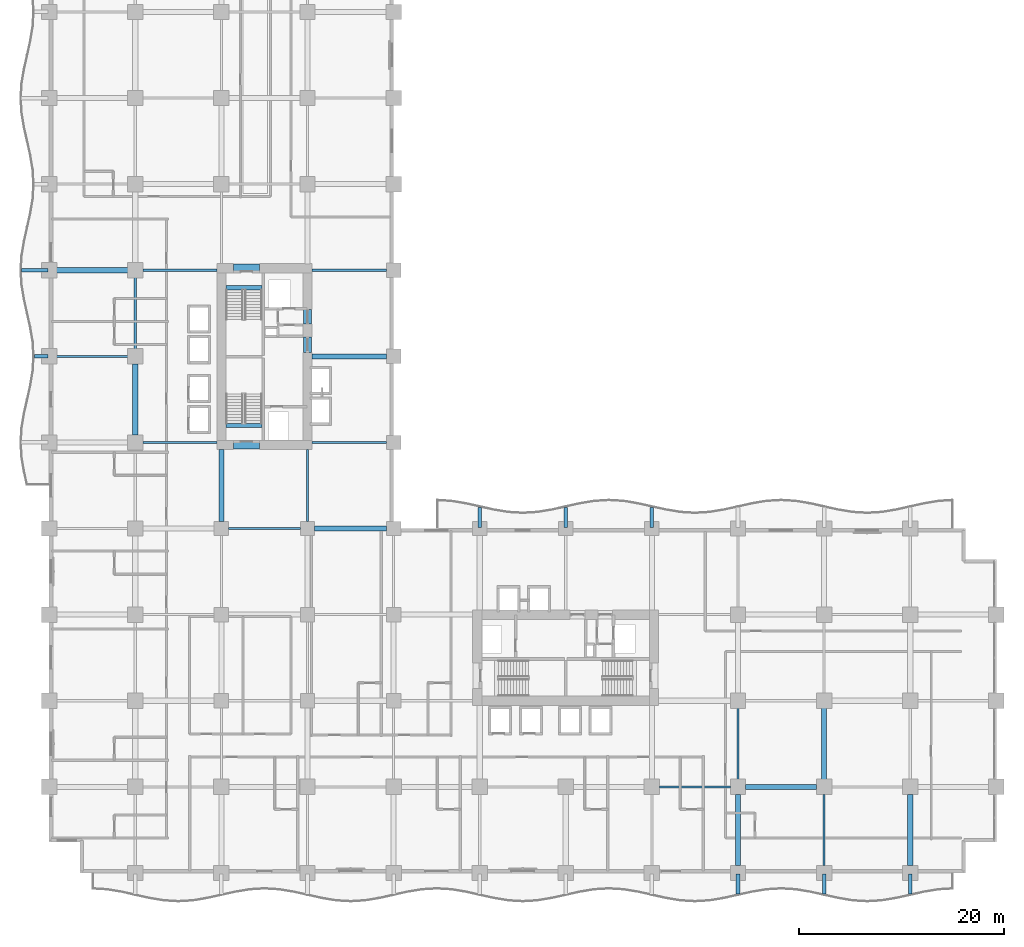
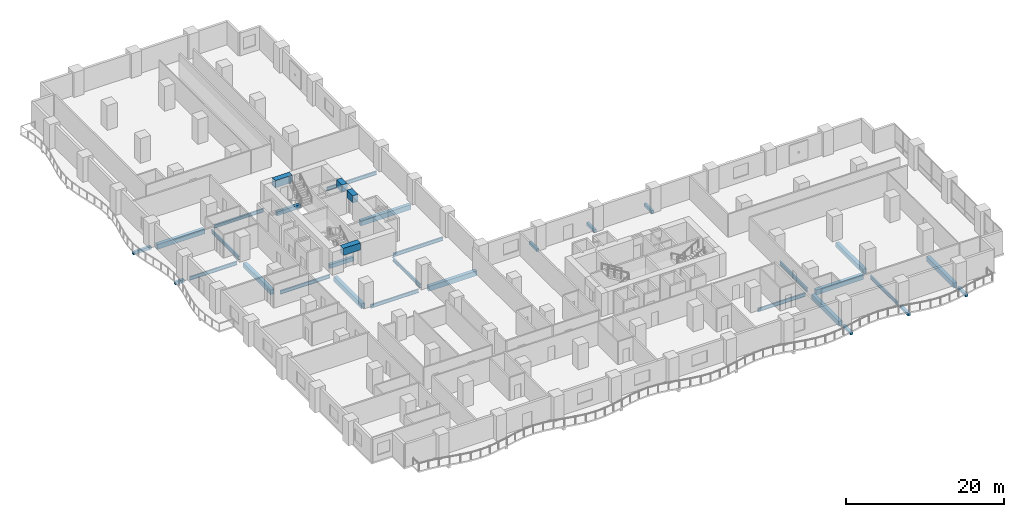
# One storey, part 2 of 27: 34 beams.
"""IFC4 building model written with IfcOpenShell, lengths in metres."""

import ifcopenshell
import ifcopenshell.guid

model = None  # the IFC model being written
_history = None  # IfcOwnerHistory: only IFC2X3 demands one
_inside = {}  # id of a spatial element -> (the spatial element, [elements in it])
_under = {}  # id of a project, library or spatial element -> (it, [spatial elements below it])
_declared = {}  # id of a project -> (the project, [libraries it declares])
_typed = {}  # id of a type object -> (the type object, [elements of that type])
_made_of = {}  # id of a material, layer set ... -> (it, [elements and type objects made of it])


def new_model(schema):
    """Start an empty IFC model of exactly this schema.

    Asked for "IFC4X3", IfcOpenShell would pick the latest addendum, in which some entities
    have other attributes; the version numbers below select the first issue.
    IFC2X3 requires an IfcOwnerHistory on every rooted entity: one is made here for all.
    """
    global model, _history
    if schema == "IFC4X3":
        model = ifcopenshell.file(schema_version=(4, 3, 0, 0))
    else:
        model = ifcopenshell.file(schema=schema)
    _inside.clear()
    _under.clear()
    _declared.clear()
    _typed.clear()
    _made_of.clear()
    _history = None
    if model.schema == "IFC2X3":
        org = make("IfcOrganization", Name="unknown")
        user = make(
            "IfcPersonAndOrganization",
            ThePerson=make("IfcPerson", FamilyName="unknown"),
            TheOrganization=org,
        )
        app = make(
            "IfcApplication",
            ApplicationDeveloper=org,
            Version="unknown",
            ApplicationFullName="unknown",
            ApplicationIdentifier="unknown",
        )
        _history = make(
            "IfcOwnerHistory",
            OwningUser=user,
            OwningApplication=app,
            ChangeAction="ADDED",
            CreationDate=0,
        )
    return model


def make(cls, **values):
    """One entity of the class cls with the attributes given. An attribute that is None is left unset."""
    return model.create_entity(
        cls, **{name: value for name, value in values.items() if value is not None}
    )


def rooted(cls, **values):
    """An entity with a GlobalId (a new one), such as an element, a storey or a relation."""
    return make(cls, GlobalId=ifcopenshell.guid.new(), OwnerHistory=_history, **values)


def si_unit(unit_type, name, prefix=None):
    """IfcSIUnit, for example si_unit("LENGTHUNIT", "METRE", prefix="MILLI")."""
    return make("IfcSIUnit", UnitType=unit_type, Prefix=prefix, Name=name)


def assignment(units):
    """IfcUnitAssignment: the units of a project."""
    return None if units is None else make("IfcUnitAssignment", Units=units)


def point(xyz):
    """IfcCartesianPoint."""
    return None if xyz is None else make("IfcCartesianPoint", Coordinates=xyz)


def direction(xyz):
    """IfcDirection."""
    return None if xyz is None else make("IfcDirection", DirectionRatios=xyz)


def frame(location, z_axis=None, x_axis=None):
    """IfcAxis2Placement3D, a coordinate frame: its origin and axes. An axis left out is left unset."""
    return make(
        "IfcAxis2Placement3D",
        Location=point(location),
        Axis=direction(z_axis),
        RefDirection=direction(x_axis),
    )


def frame_2d(location, x_axis=None):
    """IfcAxis2Placement2D, a coordinate frame in the plane: its origin and x axis."""
    return make(
        "IfcAxis2Placement2D", Location=point(location), RefDirection=direction(x_axis)
    )


def origin():
    """The frame at (0, 0, 0) with its axes left unset."""
    return frame((0.0, 0.0, 0.0))


def origin_2d():
    """The frame at (0, 0) in the plane with its x axis left unset."""
    return frame_2d((0.0, 0.0))


def place(relative_to, where):
    """IfcLocalPlacement: puts the frame where relative to a parent placement (None: the world)."""
    return make(
        "IfcLocalPlacement", PlacementRelTo=relative_to, RelativePlacement=where
    )


def context(
    kind, dimensions, precision=None, world=None, true_north=None, identifier=None
):
    """IfcGeometricRepresentationContext, for example the 3D "Model" context."""
    return make(
        "IfcGeometricRepresentationContext",
        ContextIdentifier=identifier,
        ContextType=kind,
        CoordinateSpaceDimension=dimensions,
        Precision=precision,
        WorldCoordinateSystem=world,
        TrueNorth=true_north,
    )


def subcontext(parent, identifier, kind, view, scale=None):
    """IfcGeometricRepresentationSubContext, for example "Body" below "Model"."""
    return make(
        "IfcGeometricRepresentationSubContext",
        ContextIdentifier=identifier,
        ContextType=kind,
        ParentContext=parent,
        TargetScale=scale,
        TargetView=view,
    )


def project(units=None, contexts=None):
    """IfcProject with its units and contexts."""
    return rooted(
        "IfcProject",
        Name="project",
        RepresentationContexts=contexts,
        UnitsInContext=assignment(units),
    )


def spatial(cls, under=None, at=None, **own):
    """A site, building, storey or space (cls), placed at a placement, below another one or the project."""
    s = rooted(cls, ObjectPlacement=at, **own)
    if under is not None:
        _under.setdefault(under.id(), (under, []))[1].append(s)
    return s


def profile(cls, at=None, kind="AREA", **sizes):
    """A parametric profile (cls). Its sizes go by their IFC names, for example OverallWidth=200.0."""
    return make(cls, ProfileType=kind, Position=at, **sizes)


def rectangle(**sizes):
    """IfcRectangleProfileDef."""
    return profile("IfcRectangleProfileDef", **sizes)


def i_section(**sizes):
    """IfcIShapeProfileDef."""
    return profile("IfcIShapeProfileDef", **sizes)


def extrude(swept, where, along, depth):
    """IfcExtrudedAreaSolid: the profile swept, set in the frame where, extruded along a direction by depth."""
    return make(
        "IfcExtrudedAreaSolid",
        SweptArea=swept,
        Position=where,
        ExtrudedDirection=direction(along),
        Depth=depth,
    )


def shape(context_of_items, identifier, shape_type, items):
    """IfcShapeRepresentation: the items that make up one representation, for example the "Body"."""
    return make(
        "IfcShapeRepresentation",
        ContextOfItems=context_of_items,
        RepresentationIdentifier=identifier,
        RepresentationType=shape_type,
        Items=items,
    )


def material(Name=None, Category=None):
    """IfcMaterial."""
    return make("IfcMaterial", Name=Name, Category=Category)


def material_profile(
    of_material, cross_section, Name=None, Category=None, Priority=None
):
    """IfcMaterialProfile: a cross section and its material."""
    return make(
        "IfcMaterialProfile",
        Name=Name,
        Material=of_material,
        Profile=cross_section,
        Priority=Priority,
        Category=Category,
    )


def profile_set(profiles, Name=None, composite=None):
    """IfcMaterialProfileSet."""
    return make(
        "IfcMaterialProfileSet",
        Name=Name,
        MaterialProfiles=profiles,
        CompositeProfile=composite,
    )


def made_of(thing, what):
    """Note that an element or type object is made of a material, layer set ...; save() writes the relation."""
    if what is not None:
        _made_of.setdefault(what.id(), (what, []))[1].append(thing)
    return thing


def type_object(cls, material=None, **own):
    """A type object (cls), such as IfcWallType, which elements share."""
    return made_of(rooted(cls, **own), material)


def element(
    cls,
    number,
    at=None,
    inside=None,
    cuts=None,
    type_object=None,
    material=None,
    context=None,
    identifier="Body",
    shape_type=None,
    held_by="IfcProductDefinitionShape",
    body=None,
    shapes=None,
    **own,
):
    """One element of the class cls, such as IfcWall. Its Tag is "e" and its number.

    at: its placement. inside: the storey or other place that contains it. cuts: it is an
    opening in that element (IfcRelVoidsElement). A single representation is given by context,
    identifier, shape_type and body (its items); several are given by shapes. held_by: the class
    of the entity that holds the representations. save() writes the other relations.
    """
    e = rooted(cls, Tag="e%d" % number, ObjectPlacement=at, **own)
    if body is not None:
        shapes = [shape(context, identifier, shape_type, body)]
    if shapes is not None:
        e.Representation = make(held_by, Representations=shapes)
    if inside is not None:
        _inside.setdefault(inside.id(), (inside, []))[1].append(e)
    if cuts is not None:
        rooted(
            "IfcRelVoidsElement", RelatingBuildingElement=cuts, RelatedOpeningElement=e
        )
    if type_object is not None:
        _typed.setdefault(type_object.id(), (type_object, []))[1].append(e)
    return made_of(e, material)


def aggregate(whole, parts):
    """IfcRelAggregates: a whole, such as a stair, and the parts it consists of."""
    return rooted("IfcRelAggregates", RelatingObject=whole, RelatedObjects=parts)


def save(model, path):
    """Write the relations noted so far, then the file.

    IfcRelAggregates (storeys below a building ...), IfcRelContainedInSpatialStructure (elements
    in a storey), IfcRelDefinesByType, IfcRelAssociatesMaterial and IfcRelDeclares: one each for
    every whole, place, type object, material and project.
    """
    for whole, parts in _under.values():
        aggregate(whole, parts)
    for where, things in _inside.values():
        rooted(
            "IfcRelContainedInSpatialStructure",
            RelatedElements=things,
            RelatingStructure=where,
        )
    for kind, things in _typed.values():
        rooted("IfcRelDefinesByType", RelatedObjects=things, RelatingType=kind)
    for what, things in _made_of.values():
        rooted("IfcRelAssociatesMaterial", RelatedObjects=things, RelatingMaterial=what)
    for by, libraries in _declared.values():
        rooted("IfcRelDeclares", RelatingContext=by, RelatedDefinitions=libraries)
    model.write(path)


model = new_model("IFC4")

# Units and contexts
model_context = context("Model", 3, precision=1e-05, world=origin(), true_north=direction((0.0, 1.0)))
body_context = subcontext(model_context, "Body", "Model", "MODEL_VIEW")
ifc_project = project(units=[si_unit("LENGTHUNIT", "METRE"), si_unit("AREAUNIT", "SQUARE_METRE"), si_unit("VOLUMEUNIT", "CUBIC_METRE"), si_unit("PLANEANGLEUNIT", "RADIAN"), si_unit("MASSUNIT", "GRAM", prefix="KILO")], contexts=[model_context])

# Site, building, storey
site_placement = place(None, origin())
site = spatial("IfcSite", under=ifc_project, at=site_placement, CompositionType="ELEMENT")
building_placement = place(site_placement, origin())
building = spatial("IfcBuilding", under=site, at=building_placement, Name="Koriwani Terraces Tower", CompositionType="ELEMENT")
storey_placement = place(building_placement, frame((0.0, 0.0, 70.0)))
storey = spatial("IfcBuildingStorey", under=building, at=storey_placement, Name="L16", CompositionType="ELEMENT", Elevation=70.0)

# Beams
ifc_material_1 = material(Name="Concrete C40/50", Category="concrete")
ifc_material_profile_1 = material_profile(ifc_material_1, rectangle(XDim=0.35009765625, YDim=0.449951171875, at=origin_2d()), Name="Concrete C40/50", Category="LoadBearing")
ifc_profile_set_1 = profile_set([ifc_material_profile_1], Name="Concrete C40/50")
beam_type_1 = type_object("IfcBeamType", Name="BEAM_RC_BALCONY_RIB_350X450", PredefinedType="JOIST", material=ifc_profile_set_1)
for number, where, z_axis, x_axis, name in (
    (1, (67.199951171875, -2.074951171875, -0.47509765625), (0.0, 1.0, 0.0), (-1.0, 0.0, 0.0), "L16 Balcony Bracket Rib S-8"),
    (2, (75.60009765625, -2.074951171875, -0.47509765625), (0.0, 1.0, 0.0), (-1.0, 0.0, 0.0), "L16 Balcony Bracket Rib S-9"),
    (3, (84.0, -2.074951171875, -0.47509765625), (0.0, 1.0, 0.0), (-1.0, 0.0, 0.0), "L16 Balcony Bracket Rib S-10"),
):
    element("IfcBeam", number, at=place(storey_placement, frame(where, z_axis=z_axis, x_axis=x_axis)), inside=storey, type_object=beam_type_1, Name=name, PredefinedType="JOIST", context=body_context, shape_type="SweptSolid", body=[
        extrude(rectangle(XDim=0.35009765625, YDim=0.449951171875, at=origin_2d()), origin(), (0.0, 0.0, 1.0), 1.974853515625),
    ])
beam_1_placement = place(storey_placement, frame((-1.449951171875, 50.39990234375, -0.47509765625), z_axis=(1.0, 0.0, 0.0), x_axis=(0.0, 1.0, 0.0)))
element("IfcBeam", 4, at=beam_1_placement, inside=storey, type_object=beam_type_1, Name="L16 Balcony Bracket Rib W-2", PredefinedType="JOIST", context=body_context, shape_type="SweptSolid", body=[
    extrude(rectangle(XDim=0.35009765625, YDim=0.449951171875, at=origin_2d()), origin(), (0.0, 0.0, 1.0), 1.349853515625),
])
beam_2_placement = place(storey_placement, frame((-2.699951171875, 58.800048828125, -0.47509765625), z_axis=(1.0, 0.0, 0.0), x_axis=(0.0, 1.0, 0.0)))
element("IfcBeam", 5, at=beam_2_placement, inside=storey, type_object=beam_type_1, Name="L16 Balcony Bracket Rib W-3", PredefinedType="JOIST", context=body_context, shape_type="SweptSolid", body=[
    extrude(rectangle(XDim=0.35009765625, YDim=0.449951171875, at=origin_2d()), origin(), (0.0, 0.0, 1.0), 2.599853515625),
])
for number, where, z_axis, x_axis, name in (
    (6, (42.0, 33.699951171875, -0.47509765625), (0.0, 1.0, 0.0), (-1.0, 0.0, 0.0), "L16 Balcony Bracket Rib NE-1"),
    (7, (50.39990234375, 33.699951171875, -0.47509765625), (0.0, 1.0, 0.0), (-1.0, 0.0, 0.0), "L16 Balcony Bracket Rib NE-2"),
    (8, (58.800048828125, 33.699951171875, -0.47509765625), (0.0, 1.0, 0.0), (-1.0, 0.0, 0.0), "L16 Balcony Bracket Rib NE-3"),
):
    element("IfcBeam", number, at=place(storey_placement, frame(where, z_axis=z_axis, x_axis=x_axis)), inside=storey, type_object=beam_type_1, Name=name, PredefinedType="JOIST", context=body_context, shape_type="SweptSolid", body=[
        extrude(rectangle(XDim=0.35009765625, YDim=0.449951171875, at=origin_2d()), origin(), (0.0, 0.0, 1.0), 1.97509765625),
    ])
ifc_material_2 = material(Name="Concrete C60/75", Category="concrete")
ifc_material_profile_2 = material_profile(ifc_material_2, rectangle(XDim=0.800048828125, YDim=1.10009765625, at=origin_2d()), Name="Concrete C60/75", Category="LoadBearing")
ifc_profile_set_2 = profile_set([ifc_material_profile_2], Name="Concrete C60/75")
beam_type_2 = type_object("IfcBeamType", Name="BEAM_RC_COUPLING_800X1100", PredefinedType="LINTEL", material=ifc_profile_set_2)
beam_3_placement = place(storey_placement, frame((25.199951171875, 50.800048828125, 3.0), z_axis=(0.0, 1.0, 0.0), x_axis=(-1.0, 0.0, 0.0)))
element("IfcBeam", 9, at=beam_3_placement, inside=storey, type_object=beam_type_2, Name="L16 Core Coupling Lintel Beam WE1", PredefinedType="LINTEL", context=body_context, shape_type="SweptSolid", body=[
    extrude(rectangle(XDim=0.800048828125, YDim=1.10009765625, at=origin_2d()), origin(), (0.0, 0.0, 1.0), 1.47998046875),
])
beam_4_placement = place(storey_placement, frame((25.199951171875, 53.550048828125, 3.0), z_axis=(0.0, 1.0, 0.0), x_axis=(-1.0, 0.0, 0.0)))
element("IfcBeam", 10, at=beam_4_placement, inside=storey, type_object=beam_type_2, Name="L16 Core Coupling Lintel Beam WE2", PredefinedType="LINTEL", context=body_context, shape_type="SweptSolid", body=[
    extrude(rectangle(XDim=0.800048828125, YDim=1.10009765625, at=origin_2d()), origin(), (0.0, 0.0, 1.0), 1.39990234375),
])
for number, where, z_axis, x_axis, name in (
    (11, (18.0, 41.75, 3.0), (1.0, 0.0, 0.0), (0.0, 1.0, 0.0), "L16 Core Coupling Lintel Beam WS"),
    (12, (18.0, 59.0, 3.0), (1.0, 0.0, 0.0), (0.0, 1.0, 0.0), "L16 Core Coupling Lintel Beam WN"),
):
    element("IfcBeam", number, at=place(storey_placement, frame(where, z_axis=z_axis, x_axis=x_axis)), inside=storey, type_object=beam_type_2, Name=name, PredefinedType="LINTEL", context=body_context, shape_type="SweptSolid", body=[
        extrude(rectangle(XDim=0.800048828125, YDim=1.10009765625, at=origin_2d()), origin(), (0.0, 0.0, 1.0), 2.5),
    ])
ifc_material_profile_3 = material_profile(ifc_material_1, rectangle(XDim=0.39990234375, YDim=0.60009765625, at=origin_2d()), Name="Concrete C40/50", Category="LoadBearing")
ifc_profile_set_3 = profile_set([ifc_material_profile_3], Name="Concrete C40/50")
beam_type_3 = type_object("IfcBeamType", Name="BEAM_RC_GRID_400X600", PredefinedType="BEAM", material=ifc_profile_set_3)
for number, where, z_axis, x_axis, name in (
    (13, (17.25, 43.655029296875, -0.300048828125), (1.0, 0.0, 0.0), (0.0, 1.0, 0.0), "L16 Stairwell Header Trimmer Beam ST-W1"),
    (14, (17.25, 57.094970703125, -0.300048828125), (1.0, 0.0, 0.0), (0.0, 1.0, 0.0), "L16 Stairwell Header Trimmer Beam ST-W2"),
):
    element("IfcBeam", number, at=place(storey_placement, frame(where, z_axis=z_axis, x_axis=x_axis)), inside=storey, type_object=beam_type_3, Name=name, PredefinedType="BEAM", context=body_context, shape_type="SweptSolid", body=[
        extrude(rectangle(XDim=0.39990234375, YDim=0.60009765625, at=origin_2d()), origin(), (0.0, 0.0, 1.0), 3.5),
    ])
ifc_material_3 = material(Name="Concrete C50/60", Category="concrete")
ifc_material_profile_4 = material_profile(ifc_material_3, rectangle(XDim=0.5, YDim=0.75, at=origin_2d()), Name="Concrete C50/60", Category="LoadBearing")
ifc_profile_set_4 = profile_set([ifc_material_profile_4], Name="Concrete C50/60")
beam_type_4 = type_object("IfcBeamType", Name="BEAM_RC_GRID_500X750", PredefinedType="BEAM", material=ifc_profile_set_4)
beam_5_placement = place(storey_placement, frame((67.929931640625, 8.39990234375, -0.625), z_axis=(1.0, 0.0, 0.0), x_axis=(0.0, 1.0, 0.0)))
element("IfcBeam", 15, at=beam_5_placement, inside=storey, type_object=beam_type_4, Name="L16 Grid Beam B (67.2-75.6m)", PredefinedType="BEAM", context=body_context, shape_type="SweptSolid", body=[
    extrude(rectangle(XDim=0.5, YDim=0.75, at=origin_2d()), origin(), (0.0, 0.0, 1.0), 6.940185546875),
])
beam_6_placement = place(storey_placement, frame((25.8798828125, 33.60009765625, -0.625), z_axis=(1.0, 0.0, 0.0), x_axis=(0.0, 1.0, 0.0)))
element("IfcBeam", 16, at=beam_6_placement, inside=storey, type_object=beam_type_4, Name="L16 Grid Beam E (25.2-33.6m)", PredefinedType="BEAM", context=body_context, shape_type="SweptSolid", body=[
    extrude(rectangle(XDim=0.5, YDim=0.75, at=origin_2d()), origin(), (0.0, 0.0, 1.0), 7.0400390625),
])
beam_7_placement = place(storey_placement, frame((25.6298828125, 50.39990234375, -0.625), z_axis=(1.0, 0.0, 0.0), x_axis=(0.0, 1.0, 0.0)))
element("IfcBeam", 17, at=beam_7_placement, inside=storey, type_object=beam_type_4, Name="L16 Grid Beam G (25.2-33.6m)", PredefinedType="BEAM", context=body_context, shape_type="SweptSolid", body=[
    extrude(rectangle(XDim=0.5, YDim=0.75, at=origin_2d()), origin(), (0.0, 0.0, 1.0), 7.2900390625),
])
for number, where, z_axis, x_axis, name in (
    (18, (0.72998046875, 58.800048828125, -0.625), (1.0, 0.0, 0.0), (0.0, 1.0, 0.0), "L16 Grid Beam H (0.0-8.4m)"),
    (19, (8.39990234375, 42.72998046875, -0.625), (0.0, 1.0, 0.0), (-1.0, 0.0, 0.0), "L16 Grid Beam 2 (42.0-50.4m)"),
):
    element("IfcBeam", number, at=place(storey_placement, frame(where, z_axis=z_axis, x_axis=x_axis)), inside=storey, type_object=beam_type_4, Name=name, PredefinedType="BEAM", context=body_context, shape_type="SweptSolid", body=[
        extrude(rectangle(XDim=0.5, YDim=0.75, at=origin_2d()), origin(), (0.0, 0.0, 1.0), 6.93994140625),
    ])
beam_8_placement = place(storey_placement, frame((16.800048828125, 34.280029296875, -0.625), z_axis=(0.0, 1.0, 0.0), x_axis=(-1.0, 0.0, 0.0)))
element("IfcBeam", 20, at=beam_8_placement, inside=storey, type_object=beam_type_4, Name="L16 Grid Beam 3 (33.6-42.0m)", PredefinedType="BEAM", context=body_context, shape_type="SweptSolid", body=[
    extrude(rectangle(XDim=0.5, YDim=0.75, at=origin_2d()), origin(), (0.0, 0.0, 1.0), 7.0400390625),
])
beam_9_placement = place(storey_placement, frame((67.199951171875, 0.72998046875, -0.625), z_axis=(0.0, 1.0, 0.0), x_axis=(-1.0, 0.0, 0.0)))
element("IfcBeam", 21, at=beam_9_placement, inside=storey, type_object=beam_type_4, Name="L16 Grid Beam 9 (0.0-8.4m)", PredefinedType="BEAM", context=body_context, shape_type="SweptSolid", body=[
    extrude(rectangle(XDim=0.5, YDim=0.75, at=origin_2d()), origin(), (0.0, 0.0, 1.0), 6.93994140625),
])
beam_10_placement = place(storey_placement, frame((75.60009765625, 9.1298828125, -0.625), z_axis=(0.0, 1.0, 0.0), x_axis=(-1.0, 0.0, 0.0)))
element("IfcBeam", 22, at=beam_10_placement, inside=storey, type_object=beam_type_4, Name="L16 Grid Beam 10 (8.4-16.8m)", PredefinedType="BEAM", context=body_context, shape_type="SweptSolid", body=[
    extrude(rectangle(XDim=0.5, YDim=0.75, at=origin_2d()), origin(), (0.0, 0.0, 1.0), 6.940185546875),
])
beam_11_placement = place(storey_placement, frame((84.0, 0.72998046875, -0.625), z_axis=(0.0, 1.0, 0.0), x_axis=(-1.0, 0.0, 0.0)))
element("IfcBeam", 23, at=beam_11_placement, inside=storey, type_object=beam_type_4, Name="L16 Grid Beam 11 (0.0-8.4m)", PredefinedType="BEAM", context=body_context, shape_type="SweptSolid", body=[
    extrude(rectangle(XDim=0.5, YDim=0.75, at=origin_2d()), origin(), (0.0, 0.0, 1.0), 6.93994140625),
])
ifc_material_4 = material(Name="Steel ASTM A572 Grade 50", Category="steel")
ifc_material_profile_5 = material_profile(ifc_material_4, i_section(OverallWidth=0.2119140625, OverallDepth=0.54296875, WebThickness=0.0126953125, FlangeThickness=0.021240234375, at=origin_2d()), Name="Steel ASTM A572 Grade 50", Category="LoadBearing")
ifc_profile_set_5 = profile_set([ifc_material_profile_5], Name="Steel ASTM A572 Grade 50")
beam_type_5 = type_object("IfcBeamType", Name="STEEL_BEAM_W530X150", PredefinedType="BEAM", material=ifc_profile_set_5)
beam_12_placement = place(storey_placement, frame((59.530029296875, 8.39990234375, -0.521484375), z_axis=(1.0, 0.0, 0.0), x_axis=(0.0, 1.0, 0.0)))
element("IfcBeam", 24, at=beam_12_placement, inside=storey, type_object=beam_type_5, Name="L16 Grid Beam B (58.8-67.2m)", PredefinedType="BEAM", context=body_context, shape_type="SweptSolid", body=[
    extrude(i_section(OverallWidth=0.2119140625, OverallDepth=0.54296875, WebThickness=0.0126953125, FlangeThickness=0.021240234375, at=origin_2d()), origin(), (0.0, 0.0, 1.0), 6.93994140625),
])
beam_13_placement = place(storey_placement, frame((17.47998046875, 33.60009765625, -0.521484375), z_axis=(1.0, 0.0, 0.0), x_axis=(0.0, 1.0, 0.0)))
element("IfcBeam", 25, at=beam_13_placement, inside=storey, type_object=beam_type_5, Name="L16 Grid Beam E (16.8-25.2m)", PredefinedType="BEAM", context=body_context, shape_type="SweptSolid", body=[
    extrude(i_section(OverallWidth=0.2119140625, OverallDepth=0.54296875, WebThickness=0.0126953125, FlangeThickness=0.021240234375, at=origin_2d()), origin(), (0.0, 0.0, 1.0), 7.0400390625),
])
beam_14_placement = place(storey_placement, frame((9.1298828125, 42.0, -0.521484375), z_axis=(1.0, 0.0, 0.0), x_axis=(0.0, 1.0, 0.0)))
element("IfcBeam", 26, at=beam_14_placement, inside=storey, type_object=beam_type_5, Name="L16 Grid Beam F (8.4-16.8m)", PredefinedType="BEAM", context=body_context, shape_type="SweptSolid", body=[
    extrude(i_section(OverallWidth=0.2119140625, OverallDepth=0.54296875, WebThickness=0.0126953125, FlangeThickness=0.021240234375, at=origin_2d()), origin(), (0.0, 0.0, 1.0), 7.240234375),
])
beam_15_placement = place(storey_placement, frame((25.6298828125, 42.0, -0.521484375), z_axis=(1.0, 0.0, 0.0), x_axis=(0.0, 1.0, 0.0)))
element("IfcBeam", 27, at=beam_15_placement, inside=storey, type_object=beam_type_5, Name="L16 Grid Beam F (25.2-33.6m)", PredefinedType="BEAM", context=body_context, shape_type="SweptSolid", body=[
    extrude(i_section(OverallWidth=0.2119140625, OverallDepth=0.54296875, WebThickness=0.0126953125, FlangeThickness=0.021240234375, at=origin_2d()), origin(), (0.0, 0.0, 1.0), 7.2900390625),
])
beam_16_placement = place(storey_placement, frame((0.72998046875, 50.39990234375, -0.521484375), z_axis=(1.0, 0.0, 0.0), x_axis=(0.0, 1.0, 0.0)))
element("IfcBeam", 28, at=beam_16_placement, inside=storey, type_object=beam_type_5, Name="L16 Grid Beam G (0.0-8.4m)", PredefinedType="BEAM", context=body_context, shape_type="SweptSolid", body=[
    extrude(i_section(OverallWidth=0.2119140625, OverallDepth=0.54296875, WebThickness=0.0126953125, FlangeThickness=0.021240234375, at=origin_2d()), origin(), (0.0, 0.0, 1.0), 6.93994140625),
])
beam_17_placement = place(storey_placement, frame((9.1298828125, 58.800048828125, -0.521484375), z_axis=(1.0, 0.0, 0.0), x_axis=(0.0, 1.0, 0.0)))
element("IfcBeam", 29, at=beam_17_placement, inside=storey, type_object=beam_type_5, Name="L16 Grid Beam H (8.4-16.8m)", PredefinedType="BEAM", context=body_context, shape_type="SweptSolid", body=[
    extrude(i_section(OverallWidth=0.2119140625, OverallDepth=0.54296875, WebThickness=0.0126953125, FlangeThickness=0.021240234375, at=origin_2d()), origin(), (0.0, 0.0, 1.0), 7.240234375),
])
beam_18_placement = place(storey_placement, frame((25.6298828125, 58.800048828125, -0.521484375), z_axis=(1.0, 0.0, 0.0), x_axis=(0.0, 1.0, 0.0)))
element("IfcBeam", 30, at=beam_18_placement, inside=storey, type_object=beam_type_5, Name="L16 Grid Beam H (25.2-33.6m)", PredefinedType="BEAM", context=body_context, shape_type="SweptSolid", body=[
    extrude(i_section(OverallWidth=0.2119140625, OverallDepth=0.54296875, WebThickness=0.0126953125, FlangeThickness=0.021240234375, at=origin_2d()), origin(), (0.0, 0.0, 1.0), 7.2900390625),
])
beam_19_placement = place(storey_placement, frame((8.39990234375, 51.1298828125, -0.521484375), z_axis=(0.0, 1.0, 0.0), x_axis=(-1.0, 0.0, 0.0)))
element("IfcBeam", 31, at=beam_19_placement, inside=storey, type_object=beam_type_5, Name="L16 Grid Beam 2 (50.4-58.8m)", PredefinedType="BEAM", context=body_context, shape_type="SweptSolid", body=[
    extrude(i_section(OverallWidth=0.2119140625, OverallDepth=0.54296875, WebThickness=0.0126953125, FlangeThickness=0.021240234375, at=origin_2d()), origin(), (0.0, 0.0, 1.0), 6.940185546875),
])
beam_20_placement = place(storey_placement, frame((25.199951171875, 34.280029296875, -0.521484375), z_axis=(0.0, 1.0, 0.0), x_axis=(-1.0, 0.0, 0.0)))
element("IfcBeam", 32, at=beam_20_placement, inside=storey, type_object=beam_type_5, Name="L16 Grid Beam 4 (33.6-42.0m)", PredefinedType="BEAM", context=body_context, shape_type="SweptSolid", body=[
    extrude(i_section(OverallWidth=0.2119140625, OverallDepth=0.54296875, WebThickness=0.0126953125, FlangeThickness=0.021240234375, at=origin_2d()), origin(), (0.0, 0.0, 1.0), 7.0400390625),
])
beam_21_placement = place(storey_placement, frame((67.199951171875, 9.1298828125, -0.521484375), z_axis=(0.0, 1.0, 0.0), x_axis=(-1.0, 0.0, 0.0)))
element("IfcBeam", 33, at=beam_21_placement, inside=storey, type_object=beam_type_5, Name="L16 Grid Beam 9 (8.4-16.8m)", PredefinedType="BEAM", context=body_context, shape_type="SweptSolid", body=[
    extrude(i_section(OverallWidth=0.2119140625, OverallDepth=0.54296875, WebThickness=0.0126953125, FlangeThickness=0.021240234375, at=origin_2d()), origin(), (0.0, 0.0, 1.0), 6.940185546875),
])
beam_22_placement = place(storey_placement, frame((75.60009765625, 0.72998046875, -0.521484375), z_axis=(0.0, 1.0, 0.0), x_axis=(-1.0, 0.0, 0.0)))
element("IfcBeam", 34, at=beam_22_placement, inside=storey, type_object=beam_type_5, Name="L16 Grid Beam 10 (0.0-8.4m)", PredefinedType="BEAM", context=body_context, shape_type="SweptSolid", body=[
    extrude(i_section(OverallWidth=0.2119140625, OverallDepth=0.54296875, WebThickness=0.0126953125, FlangeThickness=0.021240234375, at=origin_2d()), origin(), (0.0, 0.0, 1.0), 6.93994140625),
])

save(model, "model.ifc")
